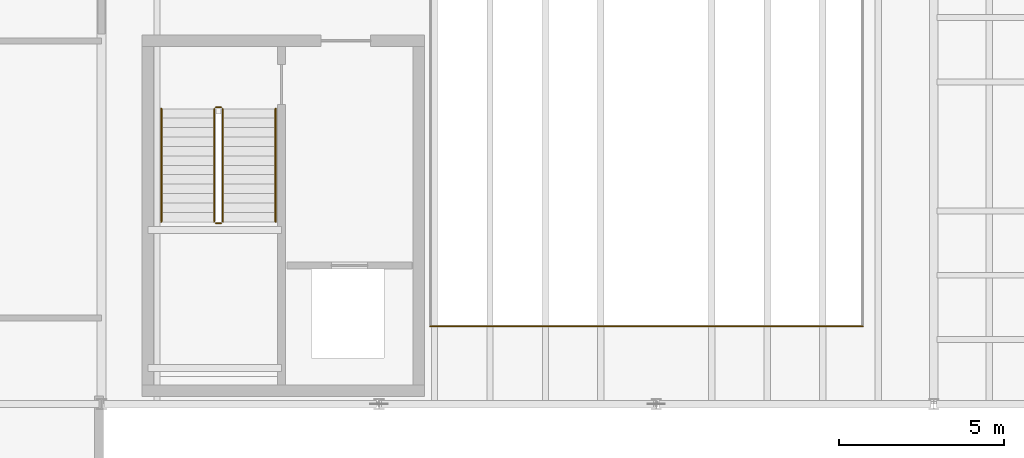
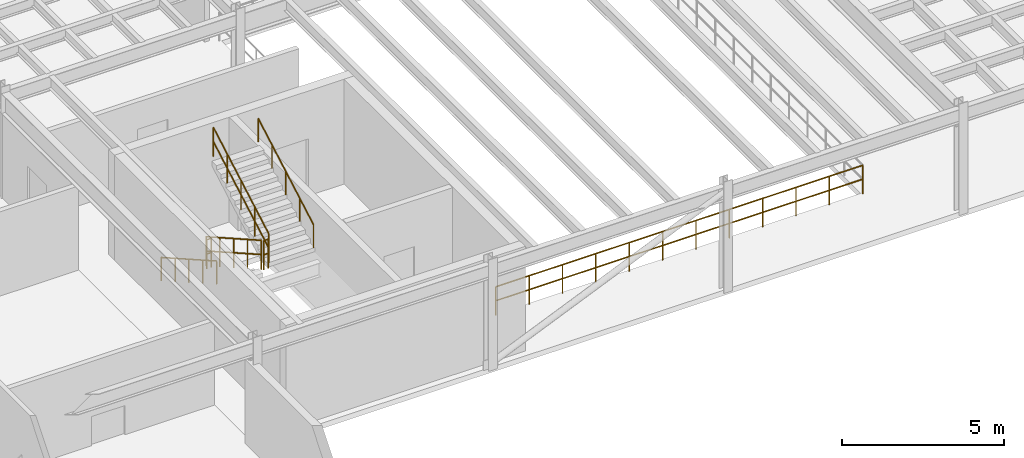
# One storey, part 24 of 26: 7 railings.
"""IFC4 building model written with IfcOpenShell, lengths in metres."""

import ifcopenshell
import ifcopenshell.guid

model = None  # the IFC model being written
_history = None  # IfcOwnerHistory: only IFC2X3 demands one
_inside = {}  # id of a spatial element -> (the spatial element, [elements in it])
_under = {}  # id of a project, library or spatial element -> (it, [spatial elements below it])
_declared = {}  # id of a project -> (the project, [libraries it declares])
_typed = {}  # id of a type object -> (the type object, [elements of that type])
_made_of = {}  # id of a material, layer set ... -> (it, [elements and type objects made of it])


def new_model(schema):
    """Start an empty IFC model of exactly this schema.

    Asked for "IFC4X3", IfcOpenShell would pick the latest addendum, in which some entities
    have other attributes; the version numbers below select the first issue.
    IFC2X3 requires an IfcOwnerHistory on every rooted entity: one is made here for all.
    """
    global model, _history
    if schema == "IFC4X3":
        model = ifcopenshell.file(schema_version=(4, 3, 0, 0))
    else:
        model = ifcopenshell.file(schema=schema)
    _inside.clear()
    _under.clear()
    _declared.clear()
    _typed.clear()
    _made_of.clear()
    _history = None
    if model.schema == "IFC2X3":
        org = make("IfcOrganization", Name="unknown")
        user = make(
            "IfcPersonAndOrganization",
            ThePerson=make("IfcPerson", FamilyName="unknown"),
            TheOrganization=org,
        )
        app = make(
            "IfcApplication",
            ApplicationDeveloper=org,
            Version="unknown",
            ApplicationFullName="unknown",
            ApplicationIdentifier="unknown",
        )
        _history = make(
            "IfcOwnerHistory",
            OwningUser=user,
            OwningApplication=app,
            ChangeAction="ADDED",
            CreationDate=0,
        )
    return model


def make(cls, **values):
    """One entity of the class cls with the attributes given. An attribute that is None is left unset."""
    return model.create_entity(
        cls, **{name: value for name, value in values.items() if value is not None}
    )


def rooted(cls, **values):
    """An entity with a GlobalId (a new one), such as an element, a storey or a relation."""
    return make(cls, GlobalId=ifcopenshell.guid.new(), OwnerHistory=_history, **values)


def si_unit(unit_type, name, prefix=None):
    """IfcSIUnit, for example si_unit("LENGTHUNIT", "METRE", prefix="MILLI")."""
    return make("IfcSIUnit", UnitType=unit_type, Prefix=prefix, Name=name)


def assignment(units):
    """IfcUnitAssignment: the units of a project."""
    return None if units is None else make("IfcUnitAssignment", Units=units)


def point(xyz):
    """IfcCartesianPoint."""
    return None if xyz is None else make("IfcCartesianPoint", Coordinates=xyz)


def direction(xyz):
    """IfcDirection."""
    return None if xyz is None else make("IfcDirection", DirectionRatios=xyz)


def frame(location, z_axis=None, x_axis=None):
    """IfcAxis2Placement3D, a coordinate frame: its origin and axes. An axis left out is left unset."""
    return make(
        "IfcAxis2Placement3D",
        Location=point(location),
        Axis=direction(z_axis),
        RefDirection=direction(x_axis),
    )


def frame_2d(location, x_axis=None):
    """IfcAxis2Placement2D, a coordinate frame in the plane: its origin and x axis."""
    return make(
        "IfcAxis2Placement2D", Location=point(location), RefDirection=direction(x_axis)
    )


def origin():
    """The frame at (0, 0, 0) with its axes left unset."""
    return frame((0.0, 0.0, 0.0))


def origin_2d():
    """The frame at (0, 0) in the plane with its x axis left unset."""
    return frame_2d((0.0, 0.0))


def place(relative_to, where):
    """IfcLocalPlacement: puts the frame where relative to a parent placement (None: the world)."""
    return make(
        "IfcLocalPlacement", PlacementRelTo=relative_to, RelativePlacement=where
    )


def context(
    kind, dimensions, precision=None, world=None, true_north=None, identifier=None
):
    """IfcGeometricRepresentationContext, for example the 3D "Model" context."""
    return make(
        "IfcGeometricRepresentationContext",
        ContextIdentifier=identifier,
        ContextType=kind,
        CoordinateSpaceDimension=dimensions,
        Precision=precision,
        WorldCoordinateSystem=world,
        TrueNorth=true_north,
    )


def subcontext(parent, identifier, kind, view, scale=None):
    """IfcGeometricRepresentationSubContext, for example "Body" below "Model"."""
    return make(
        "IfcGeometricRepresentationSubContext",
        ContextIdentifier=identifier,
        ContextType=kind,
        ParentContext=parent,
        TargetScale=scale,
        TargetView=view,
    )


def project(units=None, contexts=None):
    """IfcProject with its units and contexts."""
    return rooted(
        "IfcProject",
        Name="project",
        RepresentationContexts=contexts,
        UnitsInContext=assignment(units),
    )


def spatial(cls, under=None, at=None, **own):
    """A site, building, storey or space (cls), placed at a placement, below another one or the project."""
    s = rooted(cls, ObjectPlacement=at, **own)
    if under is not None:
        _under.setdefault(under.id(), (under, []))[1].append(s)
    return s


def profile(cls, at=None, kind="AREA", **sizes):
    """A parametric profile (cls). Its sizes go by their IFC names, for example OverallWidth=200.0."""
    return make(cls, ProfileType=kind, Position=at, **sizes)


def circle(**sizes):
    """IfcCircleProfileDef."""
    return profile("IfcCircleProfileDef", **sizes)


def extrude(swept, where, along, depth):
    """IfcExtrudedAreaSolid: the profile swept, set in the frame where, extruded along a direction by depth."""
    return make(
        "IfcExtrudedAreaSolid",
        SweptArea=swept,
        Position=where,
        ExtrudedDirection=direction(along),
        Depth=depth,
    )


def shape(context_of_items, identifier, shape_type, items):
    """IfcShapeRepresentation: the items that make up one representation, for example the "Body"."""
    return make(
        "IfcShapeRepresentation",
        ContextOfItems=context_of_items,
        RepresentationIdentifier=identifier,
        RepresentationType=shape_type,
        Items=items,
    )


def material(Name=None, Category=None):
    """IfcMaterial."""
    return make("IfcMaterial", Name=Name, Category=Category)


def layer(
    of_material, thickness, ventilated=None, Name=None, Category=None, Priority=None
):
    """IfcMaterialLayer: one layer of a wall or slab, of a material (None: an air gap)."""
    return make(
        "IfcMaterialLayer",
        Material=of_material,
        LayerThickness=thickness,
        IsVentilated=ventilated,
        Name=Name,
        Category=Category,
        Priority=Priority,
    )


def layer_set(layers, Name=None):
    """IfcMaterialLayerSet."""
    return make("IfcMaterialLayerSet", MaterialLayers=layers, LayerSetName=Name)


def made_of(thing, what):
    """Note that an element or type object is made of a material, layer set ...; save() writes the relation."""
    if what is not None:
        _made_of.setdefault(what.id(), (what, []))[1].append(thing)
    return thing


def type_object(cls, material=None, **own):
    """A type object (cls), such as IfcWallType, which elements share."""
    return made_of(rooted(cls, **own), material)


def element(
    cls,
    number,
    at=None,
    inside=None,
    cuts=None,
    type_object=None,
    material=None,
    context=None,
    identifier="Body",
    shape_type=None,
    held_by="IfcProductDefinitionShape",
    body=None,
    shapes=None,
    **own,
):
    """One element of the class cls, such as IfcWall. Its Tag is "e" and its number.

    at: its placement. inside: the storey or other place that contains it. cuts: it is an
    opening in that element (IfcRelVoidsElement). A single representation is given by context,
    identifier, shape_type and body (its items); several are given by shapes. held_by: the class
    of the entity that holds the representations. save() writes the other relations.
    """
    e = rooted(cls, Tag="e%d" % number, ObjectPlacement=at, **own)
    if body is not None:
        shapes = [shape(context, identifier, shape_type, body)]
    if shapes is not None:
        e.Representation = make(held_by, Representations=shapes)
    if inside is not None:
        _inside.setdefault(inside.id(), (inside, []))[1].append(e)
    if cuts is not None:
        rooted(
            "IfcRelVoidsElement", RelatingBuildingElement=cuts, RelatedOpeningElement=e
        )
    if type_object is not None:
        _typed.setdefault(type_object.id(), (type_object, []))[1].append(e)
    return made_of(e, material)


def aggregate(whole, parts):
    """IfcRelAggregates: a whole, such as a stair, and the parts it consists of."""
    return rooted("IfcRelAggregates", RelatingObject=whole, RelatedObjects=parts)


def save(model, path):
    """Write the relations noted so far, then the file.

    IfcRelAggregates (storeys below a building ...), IfcRelContainedInSpatialStructure (elements
    in a storey), IfcRelDefinesByType, IfcRelAssociatesMaterial and IfcRelDeclares: one each for
    every whole, place, type object, material and project.
    """
    for whole, parts in _under.values():
        aggregate(whole, parts)
    for where, things in _inside.values():
        rooted(
            "IfcRelContainedInSpatialStructure",
            RelatedElements=things,
            RelatingStructure=where,
        )
    for kind, things in _typed.values():
        rooted("IfcRelDefinesByType", RelatedObjects=things, RelatingType=kind)
    for what, things in _made_of.values():
        rooted("IfcRelAssociatesMaterial", RelatedObjects=things, RelatingMaterial=what)
    for by, libraries in _declared.values():
        rooted("IfcRelDeclares", RelatingContext=by, RelatedDefinitions=libraries)
    model.write(path)


model = new_model("IFC4")

# Units and contexts
model_context = context("Model", 3, precision=1e-05, world=origin(), true_north=direction((0.0, 1.0)))
body_context = subcontext(model_context, "Body", "Model", "MODEL_VIEW")
ifc_project = project(units=[si_unit("LENGTHUNIT", "METRE"), si_unit("AREAUNIT", "SQUARE_METRE"), si_unit("VOLUMEUNIT", "CUBIC_METRE"), si_unit("PLANEANGLEUNIT", "RADIAN"), si_unit("MASSUNIT", "GRAM", prefix="KILO")], contexts=[model_context])

# Site, building, storey
site_placement = place(None, origin())
site = spatial("IfcSite", under=ifc_project, at=site_placement, CompositionType="ELEMENT")
building_placement = place(site_placement, origin())
building = spatial("IfcBuilding", under=site, at=building_placement, Name="Selat Folded Stagehouse", CompositionType="ELEMENT")
storey_placement = place(building_placement, frame((0.0, 0.0, 23.39990234375)))
storey = spatial("IfcBuildingStorey", under=building, at=storey_placement, Name="L05", CompositionType="ELEMENT", Elevation=23.39990234375)

# Railings
ifc_material_1 = material(Name="Bronze-anodised steel balustrade", Category="steel")
ifc_layer_1 = layer(ifc_material_1, 0.06494140625)
ifc_layer_set_1 = layer_set([ifc_layer_1], Name="Bronze-anodised steel balustrade")
railing_type_1 = type_object("IfcRailingType", Name="RLG-BAL-1120", PredefinedType="BALUSTRADE", material=ifc_layer_set_1)
railing_1_placement = place(storey_placement, frame((37.010009765625, 32.340087890625, 0.16162109375)))
element("IfcRailing", 1, at=railing_1_placement, inside=storey, type_object=railing_type_1, Name="L05 ST-01 stair well guard 1", PredefinedType="BALUSTRADE", context=body_context, shape_type="SweptSolid", body=[
    extrude(circle(Radius=0.02392578125, at=origin_2d()), frame((0.0, 0.0, 1.09619140625), z_axis=(0.0, -0.869980450916, 0.493086214596), x_axis=(1.0, 0.0, 0.0)), (0.0, 0.0, 1.0), 3.931396484375),
    extrude(circle(Radius=0.02392578125, at=origin_2d()), frame((0.0, 0.0, 0.56005859375), z_axis=(0.0, -0.869980450916, 0.493086214596), x_axis=(1.0, 0.0, 0.0)), (0.0, 0.0, 1.0), 3.931396484375),
    extrude(circle(Radius=0.02099609375, at=origin_2d()), origin(), (0.0, 0.0, 1.0), 1.072021484375),
    extrude(circle(Radius=0.02099609375, at=origin_2d()), frame((0.0, -0.85498046875, 0.484619140625)), (0.0, 0.0, 1.0), 1.072021484375),
    extrude(circle(Radius=0.02099609375, at=origin_2d()), frame((0.0, -1.7099609375, 0.96923828125)), (0.0, 0.0, 1.0), 1.072021484375),
    extrude(circle(Radius=0.02099609375, at=origin_2d()), frame((0.0, -2.565185546875, 1.453857421875)), (0.0, 0.0, 1.0), 1.072021484375),
    extrude(circle(Radius=0.02099609375, at=origin_2d()), frame((0.0, -3.420166015625, 1.9384765625)), (0.0, 0.0, 1.0), 1.072021484375),
])
railing_2_placement = place(storey_placement, frame((37.06005859375, 28.8701171875, 2.10009765625)))
element("IfcRailing", 2, at=railing_2_placement, inside=storey, type_object=railing_type_1, Name="L05 ST-01 stair well guard 2", PredefinedType="BALUSTRADE", context=body_context, shape_type="SweptSolid", body=[
    extrude(circle(Radius=0.02392578125, at=origin_2d()), frame((0.0, 0.0, 1.09619140625), z_axis=(1.0, 0.0, 0.0), x_axis=(0.0, 1.0, 0.0)), (0.0, 0.0, 1.0), 0.159912109375),
    extrude(circle(Radius=0.02392578125, at=origin_2d()), frame((0.0, 0.0, 0.56005859375), z_axis=(1.0, 0.0, 0.0), x_axis=(0.0, 1.0, 0.0)), (0.0, 0.0, 1.0), 0.159912109375),
    extrude(circle(Radius=0.02099609375, at=origin_2d()), origin(), (0.0, 0.0, 1.0), 1.072021484375),
    extrude(circle(Radius=0.02099609375, at=origin_2d()), frame((0.159912109375, 0.0, 0.0)), (0.0, 0.0, 1.0), 1.072021484375),
])
railing_3_placement = place(storey_placement, frame((37.27001953125, 28.919921875, 2.26171875)))
element("IfcRailing", 3, at=railing_3_placement, inside=storey, type_object=railing_type_1, Name="L05 ST-01 stair well guard 3", PredefinedType="BALUSTRADE", context=body_context, shape_type="SweptSolid", body=[
    extrude(circle(Radius=0.02392578125, at=origin_2d()), frame((0.0, 0.0, 1.09619140625), z_axis=(0.0, 0.869980450916, 0.493086214596), x_axis=(-1.0, 0.0, 0.0)), (0.0, 0.0, 1.0), 3.931396484375),
    extrude(circle(Radius=0.02392578125, at=origin_2d()), frame((0.0, 0.0, 0.56005859375), z_axis=(0.0, 0.869980450916, 0.493086214596), x_axis=(-1.0, 0.0, 0.0)), (0.0, 0.0, 1.0), 3.931396484375),
    extrude(circle(Radius=0.02099609375, at=origin_2d()), origin(), (0.0, 0.0, 1.0), 1.072021484375),
    extrude(circle(Radius=0.02099609375, at=origin_2d()), frame((0.0, 0.85498046875, 0.484619140625)), (0.0, 0.0, 1.0), 1.072021484375),
    extrude(circle(Radius=0.02099609375, at=origin_2d()), frame((0.0, 1.7099609375, 0.96923828125)), (0.0, 0.0, 1.0), 1.072021484375),
    extrude(circle(Radius=0.02099609375, at=origin_2d()), frame((0.0, 2.565185546875, 1.453857421875)), (0.0, 0.0, 1.0), 1.072021484375),
    extrude(circle(Radius=0.02099609375, at=origin_2d()), frame((0.0, 3.420166015625, 1.9384765625)), (0.0, 0.0, 1.0), 1.072021484375),
])
railing_4_placement = place(storey_placement, frame((37.06005859375, 32.389892578125, 0.0)))
element("IfcRailing", 4, at=railing_4_placement, inside=storey, type_object=railing_type_1, Name="L05 ST-01 stair well guard 4", PredefinedType="BALUSTRADE", context=body_context, shape_type="SweptSolid", body=[
    extrude(circle(Radius=0.02392578125, at=origin_2d()), frame((0.0, 0.0, 1.09619140625), z_axis=(1.0, 0.0, 0.0), x_axis=(0.0, 1.0, 0.0)), (0.0, 0.0, 1.0), 0.159912109375),
    extrude(circle(Radius=0.02392578125, at=origin_2d()), frame((0.0, 0.0, 0.56005859375), z_axis=(1.0, 0.0, 0.0), x_axis=(0.0, 1.0, 0.0)), (0.0, 0.0, 1.0), 0.159912109375),
    extrude(circle(Radius=0.02099609375, at=origin_2d()), origin(), (0.0, 0.0, 1.0), 1.072021484375),
    extrude(circle(Radius=0.02099609375, at=origin_2d()), frame((0.159912109375, 0.0, 0.0)), (0.0, 0.0, 1.0), 1.072021484375),
])
ifc_material_2 = material(Name="Stainless steel and laminated glass", Category="steel")
ifc_layer_2 = layer(ifc_material_2, 0.06005859375)
ifc_layer_set_2 = layer_set([ifc_layer_2], Name="Stainless steel and laminated glass")
railing_type_2 = type_object("IfcRailingType", Name="RLG-GUARD-1100", PredefinedType="GUARDRAIL", material=ifc_layer_set_2)
railing_5_placement = place(storey_placement, frame((43.550048828125, 25.75, 0.0)))
element("IfcRailing", 5, at=railing_5_placement, inside=storey, type_object=railing_type_2, Name="L05 protective guard railing 070", PredefinedType="GUARDRAIL", context=body_context, shape_type="SweptSolid", body=[
    extrude(circle(Radius=0.02392578125, at=origin_2d()), frame((0.0, 0.0, 1.076171875), z_axis=(1.0, 0.0, 0.0), x_axis=(0.0, 1.0, 0.0)), (0.0, 0.0, 1.0), 13.099853515625),
    extrude(circle(Radius=0.02392578125, at=origin_2d()), frame((0.0, 0.0, 0.550048828125), z_axis=(1.0, 0.0, 0.0), x_axis=(0.0, 1.0, 0.0)), (0.0, 0.0, 1.0), 13.099853515625),
    extrude(circle(Radius=0.02099609375, at=origin_2d()), origin(), (0.0, 0.0, 1.0), 1.052001953125),
    extrude(circle(Radius=0.02099609375, at=origin_2d()), frame((1.19091796875, 0.0, 0.0)), (0.0, 0.0, 1.0), 1.052001953125),
    extrude(circle(Radius=0.02099609375, at=origin_2d()), frame((2.3818359375, 0.0, 0.0)), (0.0, 0.0, 1.0), 1.052001953125),
    extrude(circle(Radius=0.02099609375, at=origin_2d()), frame((3.57275390625, 0.0, 0.0)), (0.0, 0.0, 1.0), 1.052001953125),
    extrude(circle(Radius=0.02099609375, at=origin_2d()), frame((4.763671875, 0.0, 0.0)), (0.0, 0.0, 1.0), 1.052001953125),
    extrude(circle(Radius=0.02099609375, at=origin_2d()), frame((5.95458984375, 0.0, 0.0)), (0.0, 0.0, 1.0), 1.052001953125),
    extrude(circle(Radius=0.02099609375, at=origin_2d()), frame((7.145263671875, 0.0, 0.0)), (0.0, 0.0, 1.0), 1.052001953125),
    extrude(circle(Radius=0.02099609375, at=origin_2d()), frame((8.336181640625, 0.0, 0.0)), (0.0, 0.0, 1.0), 1.052001953125),
    extrude(circle(Radius=0.02099609375, at=origin_2d()), frame((9.527099609375, 0.0, 0.0)), (0.0, 0.0, 1.0), 1.052001953125),
    extrude(circle(Radius=0.02099609375, at=origin_2d()), frame((10.718017578125, 0.0, 0.0)), (0.0, 0.0, 1.0), 1.052001953125),
    extrude(circle(Radius=0.02099609375, at=origin_2d()), frame((11.908935546875, 0.0, 0.0)), (0.0, 0.0, 1.0), 1.052001953125),
    extrude(circle(Radius=0.02099609375, at=origin_2d()), frame((13.099853515625, 0.0, 0.0)), (0.0, 0.0, 1.0), 1.052001953125),
])
ifc_material_3 = material(Name="Brushed stainless steel 1.4301", Category="steel")
ifc_layer_3 = layer(ifc_material_3, 0.048095703125)
ifc_layer_set_3 = layer_set([ifc_layer_3], Name="Brushed stainless steel 1.4301")
railing_type_3 = type_object("IfcRailingType", Name="RLG-HANDRAIL-900", PredefinedType="HANDRAIL", material=ifc_layer_set_3)
railing_6_placement = place(storey_placement, frame((35.409912109375, 32.340087890625, 0.16162109375)))
element("IfcRailing", 6, at=railing_6_placement, inside=storey, type_object=railing_type_3, Name="L05 ST-01 wall handrail 1", PredefinedType="HANDRAIL", context=body_context, shape_type="SweptSolid", body=[
    extrude(circle(Radius=0.02392578125, at=origin_2d()), frame((0.0, 0.0, 0.8759765625), z_axis=(0.0, -0.869980450916, 0.493086214596), x_axis=(1.0, 0.0, 0.0)), (0.0, 0.0, 1.0), 3.931396484375),
    extrude(circle(Radius=0.02099609375, at=origin_2d()), origin(), (0.0, 0.0, 1.0), 0.851806640625),
    extrude(circle(Radius=0.02099609375, at=origin_2d()), frame((0.0, -0.85498046875, 0.484619140625)), (0.0, 0.0, 1.0), 0.851806640625),
    extrude(circle(Radius=0.02099609375, at=origin_2d()), frame((0.0, -1.7099609375, 0.96923828125)), (0.0, 0.0, 1.0), 0.851806640625),
    extrude(circle(Radius=0.02099609375, at=origin_2d()), frame((0.0, -2.565185546875, 1.453857421875)), (0.0, 0.0, 1.0), 0.851806640625),
    extrude(circle(Radius=0.02099609375, at=origin_2d()), frame((0.0, -3.420166015625, 1.9384765625)), (0.0, 0.0, 1.0), 0.851806640625),
])
railing_7_placement = place(storey_placement, frame((38.8701171875, 28.919921875, 2.26171875)))
element("IfcRailing", 7, at=railing_7_placement, inside=storey, type_object=railing_type_3, Name="L05 ST-01 wall handrail 2", PredefinedType="HANDRAIL", context=body_context, shape_type="SweptSolid", body=[
    extrude(circle(Radius=0.02392578125, at=origin_2d()), frame((0.0, 0.0, 0.8759765625), z_axis=(0.0, 0.869980450916, 0.493086214596), x_axis=(-1.0, 0.0, 0.0)), (0.0, 0.0, 1.0), 3.931396484375),
    extrude(circle(Radius=0.02099609375, at=origin_2d()), origin(), (0.0, 0.0, 1.0), 0.851806640625),
    extrude(circle(Radius=0.02099609375, at=origin_2d()), frame((0.0, 0.85498046875, 0.484619140625)), (0.0, 0.0, 1.0), 0.851806640625),
    extrude(circle(Radius=0.02099609375, at=origin_2d()), frame((0.0, 1.7099609375, 0.96923828125)), (0.0, 0.0, 1.0), 0.851806640625),
    extrude(circle(Radius=0.02099609375, at=origin_2d()), frame((0.0, 2.565185546875, 1.453857421875)), (0.0, 0.0, 1.0), 0.851806640625),
    extrude(circle(Radius=0.02099609375, at=origin_2d()), frame((0.0, 3.420166015625, 1.9384765625)), (0.0, 0.0, 1.0), 0.851806640625),
])

save(model, "model.ifc")
